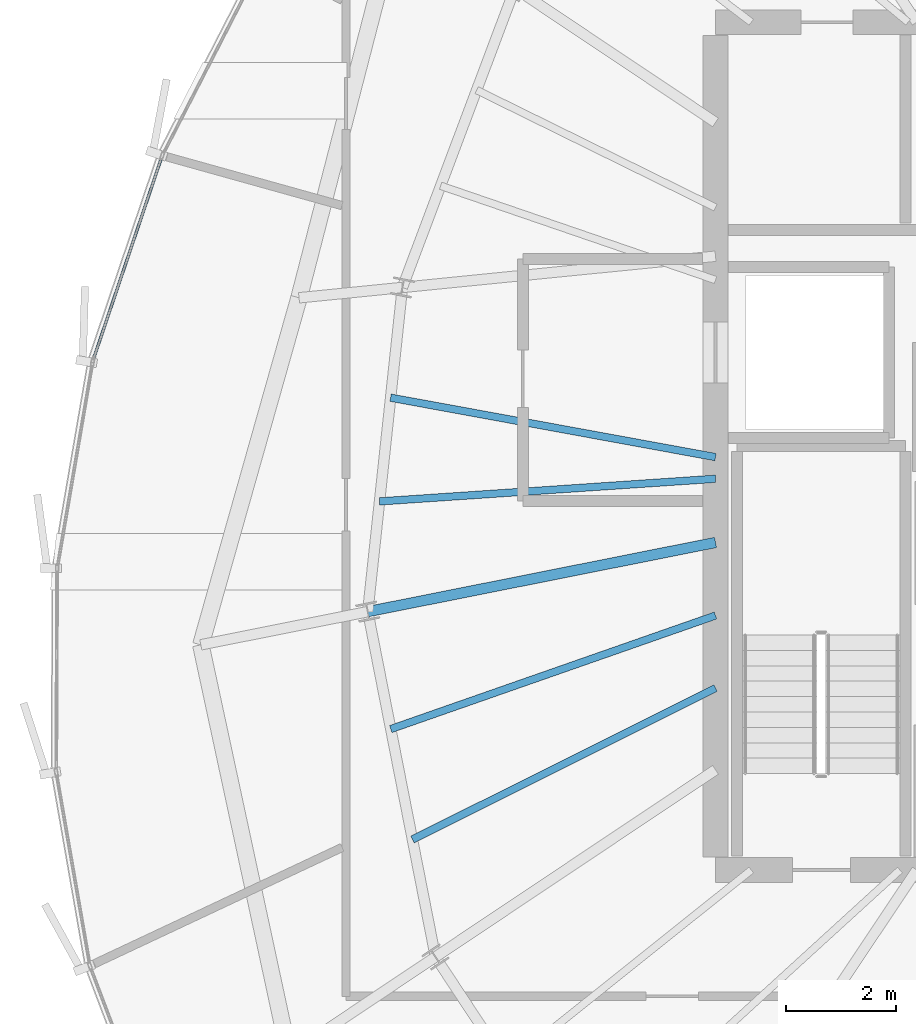
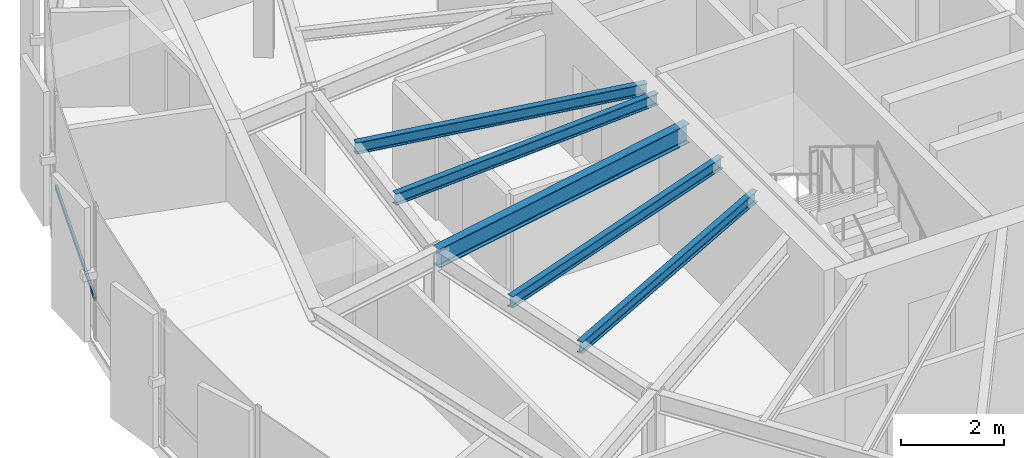
# One storey, part 10 of 33: 5 beams, 1 member, 1 element without a shape of its own.
"""IFC4 building model written with IfcOpenShell, lengths in metres."""

from ifc_helpers import new_model, si_unit, direction, frame, origin, origin_2d, place, context, subcontext, project, spatial, hollow_rectangle, i_section, extrude, source, transform, mapped, material, layer, layer_set, material_profile, profile_set, type_object, element, aggregate, save


model = new_model("IFC4")

# Units and contexts
model_context = context("Model", 3, precision=1e-05, world=origin(), true_north=direction((0.0, 1.0)))
body_context = subcontext(model_context, "Body", "Model", "MODEL_VIEW")
ifc_project = project(units=[si_unit("LENGTHUNIT", "METRE"), si_unit("AREAUNIT", "SQUARE_METRE"), si_unit("VOLUMEUNIT", "CUBIC_METRE"), si_unit("PLANEANGLEUNIT", "RADIAN"), si_unit("MASSUNIT", "GRAM", prefix="KILO"), si_unit("THERMODYNAMICTEMPERATUREUNIT", "KELVIN")], contexts=[model_context])

# Site, building, storey
site_placement = place(None, origin())
site = spatial("IfcSite", under=ifc_project, at=site_placement, CompositionType="ELEMENT")
building_placement = place(site_placement, origin())
building = spatial("IfcBuilding", under=site, at=building_placement, Name="Kethvar Cultural Tower", CompositionType="ELEMENT")
storey_placement = place(building_placement, frame((0.0, 0.0, 238.75)))
storey = spatial("IfcBuildingStorey", under=building, at=storey_placement, Name="L62", CompositionType="ELEMENT", Elevation=238.75)

# Beams
ifc_material_1 = material(Name="Steel S355J2", Category="steel")
ifc_material_profile_1 = material_profile(ifc_material_1, i_section(OverallWidth=0.18994140625, OverallDepth=0.449951171875, WebThickness=0.009521484375, FlangeThickness=0.0146484375, FilletRadius=0.02099609375, at=origin_2d()), Name="Steel S355J2 — IPE450")
ifc_profile_set_1 = profile_set([ifc_material_profile_1], Name="Steel S355J2 — IPE450")
beam_type_1 = type_object("IfcBeamType", Name="BM-IPE450", PredefinedType="BEAM", material=ifc_profile_set_1)
shared_shape_1 = source(origin(), body_context, "Body", "SweptSolid", [
    extrude(i_section(OverallWidth=0.18994140625, OverallDepth=0.449951171875, WebThickness=0.009521484375, FlangeThickness=0.0146484375, FilletRadius=0.02099609375, at=origin_2d()), origin(), (0.0, 0.0, 1.0), 6.440673828125),
])
beam_1_placement = place(storey_placement, frame((38.0, 26.049560546875, 2.98291015625), z_axis=(-0.980782804096, -0.195102770839, 0.0), x_axis=(0.195102770839, -0.980782804096, 0.0)))
element("IfcBeam", 1, at=beam_1_placement, inside=storey, type_object=beam_type_1, Name="L62 Primary Radial Beam RB-09", PredefinedType="BEAM", context=body_context, shape_type="MappedRepresentation", body=[
    mapped(shared_shape_1, transform((0.0, 0.0, 0.0), scale=1.0)),
])
ifc_material_profile_2 = material_profile(ifc_material_1, i_section(OverallWidth=0.135009765625, OverallDepth=0.27001953125, WebThickness=0.006591796875, FlangeThickness=0.01025390625, FilletRadius=0.014892578125, at=origin_2d()), Name="Steel S355J2 — IPE270")
ifc_profile_set_2 = profile_set([ifc_material_profile_2], Name="Steel S355J2 — IPE270")
beam_type_2 = type_object("IfcBeamType", Name="BM-J270", PredefinedType="JOIST", material=ifc_profile_set_2)
shared_shape_2 = source(origin(), body_context, "Body", "SweptSolid", [
    extrude(i_section(OverallWidth=0.135009765625, OverallDepth=0.27001953125, WebThickness=0.006591796875, FlangeThickness=0.01025390625, FilletRadius=0.014892578125, at=origin_2d()), origin(), (0.0, 0.0, 1.0), 5.99951171875),
])
beam_2_placement = place(storey_placement, frame((38.0, 27.60009765625, 3.072998046875), z_axis=(-0.983676616141, 0.179945310742, 0.0), x_axis=(-0.179945310742, -0.983676616141, 0.0)))
element("IfcBeam", 2, at=beam_2_placement, inside=storey, type_object=beam_type_2, Name="L62 Composite Floor Joist J-08A", PredefinedType="JOIST", context=body_context, shape_type="MappedRepresentation", body=[
    mapped(shared_shape_2, transform((0.0, 0.0, 0.0), scale=1.0)),
])
shared_shape_3 = source(origin(), body_context, "Body", "SweptSolid", [
    extrude(i_section(OverallWidth=0.135009765625, OverallDepth=0.27001953125, WebThickness=0.006591796875, FlangeThickness=0.01025390625, FilletRadius=0.014892578125, at=origin_2d()), origin(), (0.0, 0.0, 1.0), 6.116943359375),
])
beam_3_placement = place(storey_placement, frame((38.0, 27.206787109375, 3.072998046875), z_axis=(-0.997733289627, -0.067292516454, 0.0), x_axis=(0.067292516454, -0.997733289627, 0.0)))
element("IfcBeam", 3, at=beam_3_placement, inside=storey, type_object=beam_type_2, Name="L62 Composite Floor Joist J-08B", PredefinedType="JOIST", context=body_context, shape_type="MappedRepresentation", body=[
    mapped(shared_shape_3, transform((0.0, 0.0, 0.0), scale=1.0)),
])
shared_shape_4 = source(origin(), body_context, "Body", "SweptSolid", [
    extrude(i_section(OverallWidth=0.135009765625, OverallDepth=0.27001953125, WebThickness=0.006591796875, FlangeThickness=0.01025390625, FilletRadius=0.014892578125, at=origin_2d()), origin(), (0.0, 0.0, 1.0), 6.248779296875),
])
beam_4_placement = place(storey_placement, frame((38.0, 24.722900390625, 3.072998046875), z_axis=(-0.943960031743, -0.330059780148, 0.0), x_axis=(0.330059780148, -0.943960031743, 0.0)))
element("IfcBeam", 4, at=beam_4_placement, inside=storey, type_object=beam_type_2, Name="L62 Composite Floor Joist J-09A", PredefinedType="JOIST", context=body_context, shape_type="MappedRepresentation", body=[
    mapped(shared_shape_4, transform((0.0, 0.0, 0.0), scale=1.0)),
])
shared_shape_5 = source(origin(), body_context, "Body", "SweptSolid", [
    extrude(i_section(OverallWidth=0.135009765625, OverallDepth=0.27001953125, WebThickness=0.006591796875, FlangeThickness=0.01025390625, FilletRadius=0.014892578125, at=origin_2d()), origin(), (0.0, 0.0, 1.0), 6.154052734375),
])
beam_5_placement = place(storey_placement, frame((38.0, 23.40380859375, 3.072998046875), z_axis=(-0.89458581954, -0.446896197655, 0.0), x_axis=(0.446896197655, -0.89458581954, 0.0)))
element("IfcBeam", 5, at=beam_5_placement, inside=storey, type_object=beam_type_2, Name="L62 Composite Floor Joist J-09B", PredefinedType="JOIST", context=body_context, shape_type="MappedRepresentation", body=[
    mapped(shared_shape_5, transform((0.0, 0.0, 0.0), scale=1.0)),
])

# Curtain wall, member
ifc_material_2 = material(Name="Aluminium 6063-T6", Category="aluminium")
ifc_layer = layer(ifc_material_2, 0.179931640625, Name="Aluminium 6063-T6", Category="aluminium")
ifc_layer_set = layer_set([ifc_layer], Name="Aluminium 6063-T6 (180 mm)")
curtain_wall_type = type_object("IfcCurtainWallType", Name="CW-SYS-05-Z56", PredefinedType="NOTDEFINED", material=ifc_layer_set)
curtain_wall_placement = place(storey_placement, origin())
curtain_wall = element("IfcCurtainWall", 6, at=curtain_wall_placement, inside=storey, type_object=curtain_wall_type, Name="L62 Curtain Wall Run 02", PredefinedType="NOTDEFINED")
ifc_material_profile_3 = material_profile(ifc_material_2, hollow_rectangle(XDim=0.050048828125, YDim=0.10009765625, WallThickness=0.00390625, at=origin_2d()), Name="Aluminium 6063-T6 — RHS100x50x4")
ifc_profile_set_3 = profile_set([ifc_material_profile_3], Name="Aluminium 6063-T6 — RHS100x50x4")
member_type = type_object("IfcMemberType", Name="CW-SYS-05-Z56-TRN", PredefinedType="USERDEFINED", material=ifc_profile_set_3)
shared_shape_6 = source(origin(), body_context, "Body", "SweptSolid", [
    extrude(hollow_rectangle(XDim=0.050048828125, YDim=0.10009765625, WallThickness=0.00390625, at=origin_2d()), origin(), (0.0, 0.0, 1.0), 3.868896484375),
])
member_placement = place(storey_placement, frame((27.937744140625, 33.041015625, 0.949951171875), z_axis=(-0.320257311774, -0.947330593961, 0.0), x_axis=(0.947330593961, -0.320257311774, 0.0)))
member = element("IfcMember", 7, at=member_placement, type_object=member_type, Name="CW-L62-R02 Transom 6", ObjectType="TRANSOM", PredefinedType="USERDEFINED", context=body_context, shape_type="MappedRepresentation", body=[
    mapped(shared_shape_6, transform((0.0, 0.0, 0.0), scale=1.0)),
])
aggregate(curtain_wall, [member])

save(model, "model.ifc")
